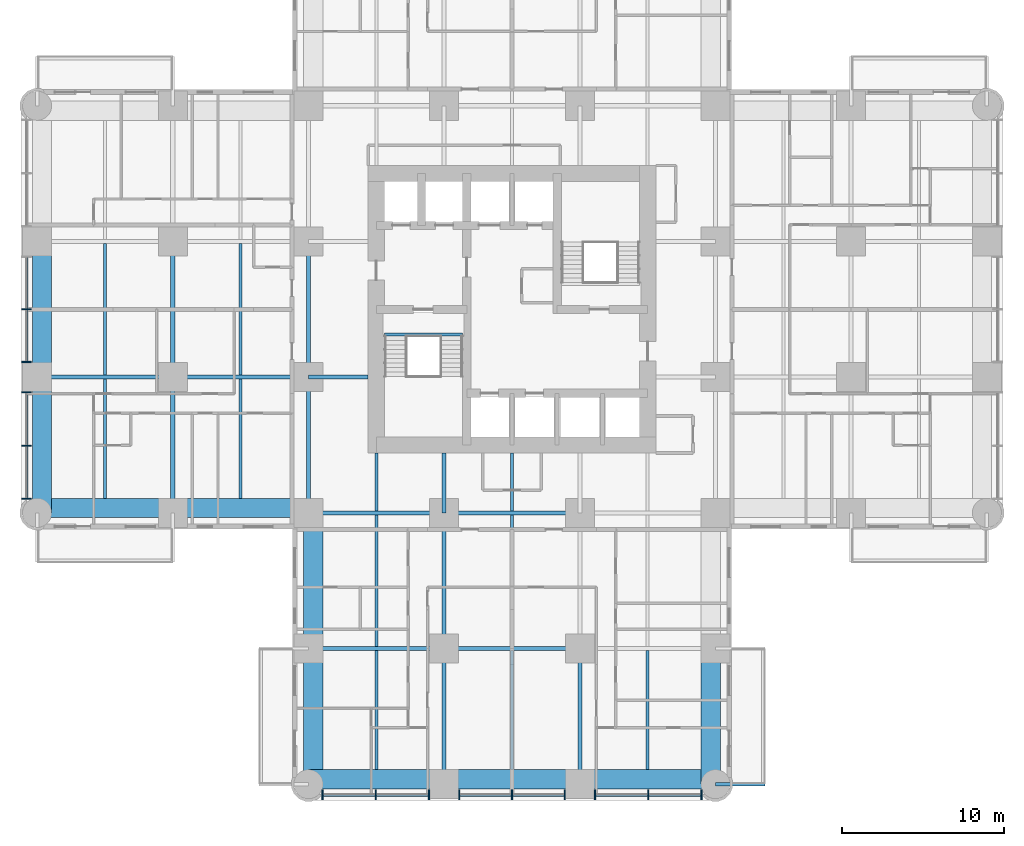
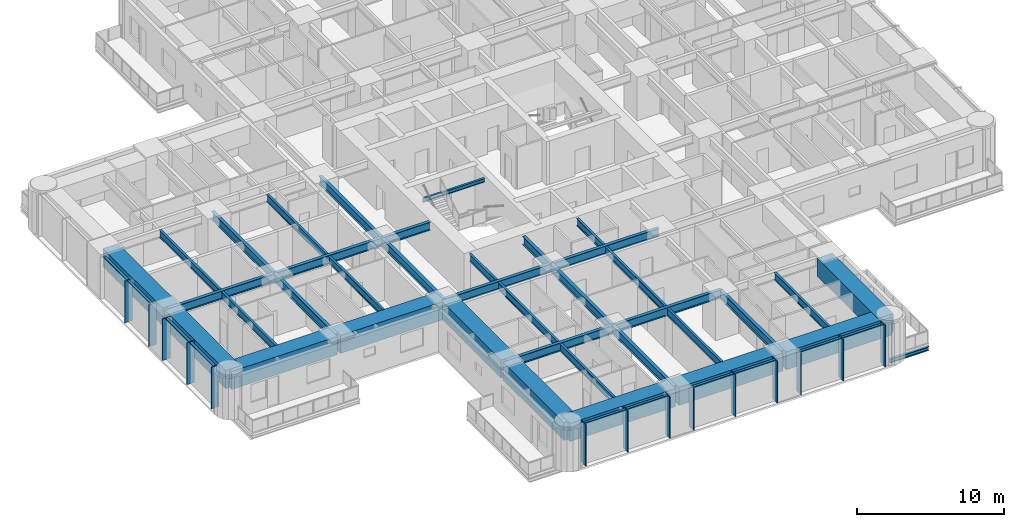
# One storey, part 2 of 17: 38 beams, 24 members, 2 elements without a shape of their own.
"""IFC4 building model written with IfcOpenShell, lengths in metres."""

from ifc_helpers import new_model, si_unit, direction, frame, origin, origin_2d, place, context, subcontext, project, spatial, rectangle, i_section, extrude, material, material_profile, profile_set, type_object, element, aggregate, save


model = new_model("IFC4")

# Units and contexts
model_context = context("Model", 3, precision=1e-05, world=origin(), true_north=direction((0.0, 1.0)))
body_context = subcontext(model_context, "Body", "Model", "MODEL_VIEW")
ifc_project = project(units=[si_unit("LENGTHUNIT", "METRE"), si_unit("AREAUNIT", "SQUARE_METRE"), si_unit("VOLUMEUNIT", "CUBIC_METRE"), si_unit("PLANEANGLEUNIT", "RADIAN"), si_unit("MASSUNIT", "GRAM", prefix="KILO")], contexts=[model_context])

# Site, building, storey
site_placement = place(None, origin())
site = spatial("IfcSite", under=ifc_project, at=site_placement, CompositionType="ELEMENT")
building_placement = place(site_placement, origin())
building = spatial("IfcBuilding", under=site, at=building_placement, Name="Torre Alcanfor", CompositionType="ELEMENT")
storey_placement = place(building_placement, frame((0.0, 0.0, 48.89990234375)))
storey = spatial("IfcBuildingStorey", under=building, at=storey_placement, Name="L11", CompositionType="ELEMENT", Elevation=48.89990234375)

# Beam
ifc_material_1 = material(Name="Steel ASTM A992 Grade 50", Category="steel")
ifc_material_profile_1 = material_profile(ifc_material_1, i_section(OverallWidth=0.205322265625, OverallDepth=0.309814453125, WebThickness=0.00927734375, FlangeThickness=0.016357421875, at=origin_2d()), Name="W12x50")
ifc_profile_set_1 = profile_set([ifc_material_profile_1], Name="Steel ASTM A992 Grade 50")
beam_type_1 = type_object("IfcBeamType", Name="Balcony cantilever beam W12x50", PredefinedType="BEAM", material=ifc_profile_set_1)
beam_1_placement = place(storey_placement, frame((42.0, 0.0, -0.354736328125), z_axis=(1.0, 0.0, 0.0), x_axis=(0.0, 1.0, 0.0)))
element("IfcBeam", 1, at=beam_1_placement, inside=storey, type_object=beam_type_1, Name="Balcony cantilever beam L11-S1 2", PredefinedType="BEAM", context=body_context, shape_type="SweptSolid", body=[
    extrude(i_section(OverallWidth=0.205322265625, OverallDepth=0.309814453125, WebThickness=0.00927734375, FlangeThickness=0.016357421875, at=origin_2d()), origin(), (0.0, 0.0, 1.0), 3.050048828125),
])

# Curtain wall, members
ifc_material_2 = material(Name="Aluminium and glass", Category="aluminium")
curtain_wall_type = type_object("IfcCurtainWallType", Name="CW-A unitised apartment glazing with vertical FIN", PredefinedType="NOTDEFINED", material=ifc_material_2)
curtain_wall_1_placement = place(storey_placement, origin())
curtain_wall_1 = element("IfcCurtainWall", 2, at=curtain_wall_1_placement, inside=storey, type_object=curtain_wall_type, Name="Curtain wall CW-A L11 2", PredefinedType="NOTDEFINED")
ifc_material_3 = material(Name="Bronze anodised aluminium", Category="aluminium")
ifc_material_profile_2 = material_profile(ifc_material_3, rectangle(XDim=0.60009765625, YDim=0.06494140625, at=origin_2d()), Name="CW-A mullion 65x600")
ifc_profile_set_2 = profile_set([ifc_material_profile_2], Name="Bronze anodised aluminium")
member_type_1 = type_object("IfcMemberType", Name="CW-A mullion with vertical FIN 65x600", PredefinedType="MULLION", material=ifc_profile_set_2)
member_1_placement = place(storey_placement, frame((-0.64990234375, 29.39990234375, 0.0), z_axis=(0.0, 0.0, 1.0), x_axis=(1.0, 0.0, 0.0)))
member_1 = element("IfcMember", 3, at=member_1_placement, type_object=member_type_1, Name="CW-A mullion 2.2", PredefinedType="MULLION", context=body_context, shape_type="SweptSolid", body=[
    extrude(rectangle(XDim=0.60009765625, YDim=0.06494140625, at=origin_2d()), origin(), (0.0, 0.0, 1.0), 3.4501953125),
])
member_2_placement = place(storey_placement, frame((-0.64990234375, 26.137451171875, 0.0), z_axis=(0.0, 0.0, 1.0), x_axis=(1.0, 0.0, 0.0)))
member_2 = element("IfcMember", 4, at=member_2_placement, type_object=member_type_1, Name="CW-A mullion 2.3", PredefinedType="MULLION", context=body_context, shape_type="SweptSolid", body=[
    extrude(rectangle(XDim=0.60009765625, YDim=0.06494140625, at=origin_2d()), origin(), (0.0, 0.0, 1.0), 3.4501953125),
])
member_3_placement = place(storey_placement, frame((-0.64990234375, 24.262451171875, 0.0), z_axis=(0.0, 0.0, 1.0), x_axis=(1.0, 0.0, 0.0)))
member_3 = element("IfcMember", 5, at=member_3_placement, type_object=member_type_1, Name="CW-A mullion 3.1", PredefinedType="MULLION", context=body_context, shape_type="SweptSolid", body=[
    extrude(rectangle(XDim=0.60009765625, YDim=0.06494140625, at=origin_2d()), origin(), (0.0, 0.0, 1.0), 3.4501953125),
])
member_4_placement = place(storey_placement, frame((-0.64990234375, 20.96484375, 0.0), z_axis=(0.0, 0.0, 1.0), x_axis=(1.0, 0.0, 0.0)))
member_4 = element("IfcMember", 6, at=member_4_placement, type_object=member_type_1, Name="CW-A mullion 3.2", PredefinedType="MULLION", context=body_context, shape_type="SweptSolid", body=[
    extrude(rectangle(XDim=0.60009765625, YDim=0.06494140625, at=origin_2d()), origin(), (0.0, 0.0, 1.0), 3.4501953125),
])
member_5_placement = place(storey_placement, frame((-0.64990234375, 17.6669921875, 0.0), z_axis=(0.0, 0.0, 1.0), x_axis=(1.0, 0.0, 0.0)))
member_5 = element("IfcMember", 7, at=member_5_placement, type_object=member_type_1, Name="CW-A mullion 3.3", PredefinedType="MULLION", context=body_context, shape_type="SweptSolid", body=[
    extrude(rectangle(XDim=0.60009765625, YDim=0.06494140625, at=origin_2d()), origin(), (0.0, 0.0, 1.0), 3.4501953125),
])

curtain_wall_2_placement = place(storey_placement, origin())
curtain_wall_2 = element("IfcCurtainWall", 8, at=curtain_wall_2_placement, inside=storey, type_object=curtain_wall_type, Name="Curtain wall CW-A L11 5", PredefinedType="NOTDEFINED")
member_6_placement = place(storey_placement, frame((17.6669921875, -0.64990234375, 0.0), z_axis=(0.0, 0.0, 1.0), x_axis=(0.0, 1.0, 0.0)))
member_6 = element("IfcMember", 9, at=member_6_placement, type_object=member_type_1, Name="CW-A mullion 1.1", PredefinedType="MULLION", context=body_context, shape_type="SweptSolid", body=[
    extrude(rectangle(XDim=0.60009765625, YDim=0.06494140625, at=origin_2d()), origin(), (0.0, 0.0, 1.0), 3.4501953125),
])
member_7_placement = place(storey_placement, frame((20.96484375, -0.64990234375, 0.0), z_axis=(0.0, 0.0, 1.0), x_axis=(0.0, 1.0, 0.0)))
member_7 = element("IfcMember", 10, at=member_7_placement, type_object=member_type_1, Name="CW-A mullion 1.2", PredefinedType="MULLION", context=body_context, shape_type="SweptSolid", body=[
    extrude(rectangle(XDim=0.60009765625, YDim=0.06494140625, at=origin_2d()), origin(), (0.0, 0.0, 1.0), 3.4501953125),
])
member_8_placement = place(storey_placement, frame((24.262451171875, -0.64990234375, 0.0), z_axis=(0.0, 0.0, 1.0), x_axis=(0.0, 1.0, 0.0)))
member_8 = element("IfcMember", 11, at=member_8_placement, type_object=member_type_1, Name="CW-A mullion 1.3", PredefinedType="MULLION", context=body_context, shape_type="SweptSolid", body=[
    extrude(rectangle(XDim=0.60009765625, YDim=0.06494140625, at=origin_2d()), origin(), (0.0, 0.0, 1.0), 3.4501953125),
])
member_9_placement = place(storey_placement, frame((26.137451171875, -0.64990234375, 0.0), z_axis=(0.0, 0.0, 1.0), x_axis=(0.0, 1.0, 0.0)))
member_9 = element("IfcMember", 12, at=member_9_placement, type_object=member_type_1, Name="CW-A mullion 2.1", PredefinedType="MULLION", context=body_context, shape_type="SweptSolid", body=[
    extrude(rectangle(XDim=0.60009765625, YDim=0.06494140625, at=origin_2d()), origin(), (0.0, 0.0, 1.0), 3.4501953125),
])
member_10_placement = place(storey_placement, frame((29.39990234375, -0.64990234375, 0.0), z_axis=(0.0, 0.0, 1.0), x_axis=(0.0, 1.0, 0.0)))
member_10 = element("IfcMember", 13, at=member_10_placement, type_object=member_type_1, Name="CW-A mullion 2.2", PredefinedType="MULLION", context=body_context, shape_type="SweptSolid", body=[
    extrude(rectangle(XDim=0.60009765625, YDim=0.06494140625, at=origin_2d()), origin(), (0.0, 0.0, 1.0), 3.4501953125),
])
member_11_placement = place(storey_placement, frame((32.66259765625, -0.64990234375, 0.0), z_axis=(0.0, 0.0, 1.0), x_axis=(0.0, 1.0, 0.0)))
member_11 = element("IfcMember", 14, at=member_11_placement, type_object=member_type_1, Name="CW-A mullion 2.3", PredefinedType="MULLION", context=body_context, shape_type="SweptSolid", body=[
    extrude(rectangle(XDim=0.60009765625, YDim=0.06494140625, at=origin_2d()), origin(), (0.0, 0.0, 1.0), 3.4501953125),
])
member_12_placement = place(storey_placement, frame((34.53759765625, -0.64990234375, 0.0), z_axis=(0.0, 0.0, 1.0), x_axis=(0.0, 1.0, 0.0)))
member_12 = element("IfcMember", 15, at=member_12_placement, type_object=member_type_1, Name="CW-A mullion 3.1", PredefinedType="MULLION", context=body_context, shape_type="SweptSolid", body=[
    extrude(rectangle(XDim=0.60009765625, YDim=0.06494140625, at=origin_2d()), origin(), (0.0, 0.0, 1.0), 3.4501953125),
])
member_13_placement = place(storey_placement, frame((37.835205078125, -0.64990234375, 0.0), z_axis=(0.0, 0.0, 1.0), x_axis=(0.0, 1.0, 0.0)))
member_13 = element("IfcMember", 16, at=member_13_placement, type_object=member_type_1, Name="CW-A mullion 3.2", PredefinedType="MULLION", context=body_context, shape_type="SweptSolid", body=[
    extrude(rectangle(XDim=0.60009765625, YDim=0.06494140625, at=origin_2d()), origin(), (0.0, 0.0, 1.0), 3.4501953125),
])
member_14_placement = place(storey_placement, frame((41.133056640625, -0.64990234375, 0.0), z_axis=(0.0, 0.0, 1.0), x_axis=(0.0, 1.0, 0.0)))
member_14 = element("IfcMember", 17, at=member_14_placement, type_object=member_type_1, Name="CW-A mullion 3.3", PredefinedType="MULLION", context=body_context, shape_type="SweptSolid", body=[
    extrude(rectangle(XDim=0.60009765625, YDim=0.06494140625, at=origin_2d()), origin(), (0.0, 0.0, 1.0), 3.4501953125),
])

# Member
ifc_material_4 = material(Name="Extruded aluminium", Category="aluminium")
ifc_material_profile_3 = material_profile(ifc_material_4, rectangle(XDim=0.199951171875, YDim=0.06494140625, at=origin_2d()), Name="CW-A transom 200x65")
ifc_profile_set_3 = profile_set([ifc_material_profile_3], Name="Extruded aluminium")
member_type_2 = type_object("IfcMemberType", Name="CW-A transom 65x200", PredefinedType="USERDEFINED", material=ifc_profile_set_3)
member_15_placement = place(storey_placement, frame((-0.64990234375, 32.6298828125, 3.41748046875), z_axis=(0.0, -1.0, 0.0), x_axis=(1.0, 0.0, 0.0)))
member_15 = element("IfcMember", 18, at=member_15_placement, type_object=member_type_2, Name="CW-A transom 2.1.2", ObjectType="TRANSOM", PredefinedType="USERDEFINED", context=body_context, shape_type="SweptSolid", body=[
    extrude(rectangle(XDim=0.199951171875, YDim=0.06494140625, at=origin_2d()), origin(), (0.0, 0.0, 1.0), 3.197265625),
])

member_16_placement = place(storey_placement, frame((-0.64990234375, 29.367431640625, 3.41748046875), z_axis=(0.0, -1.0, 0.0), x_axis=(1.0, 0.0, 0.0)))
member_16 = element("IfcMember", 19, at=member_16_placement, type_object=member_type_2, Name="CW-A transom 2.2.2", ObjectType="TRANSOM", PredefinedType="USERDEFINED", context=body_context, shape_type="SweptSolid", body=[
    extrude(rectangle(XDim=0.199951171875, YDim=0.06494140625, at=origin_2d()), origin(), (0.0, 0.0, 1.0), 3.197509765625),
])

member_17_placement = place(storey_placement, frame((-0.64990234375, 24.22998046875, 3.41748046875), z_axis=(0.0, -1.0, 0.0), x_axis=(1.0, 0.0, 0.0)))
member_17 = element("IfcMember", 20, at=member_17_placement, type_object=member_type_2, Name="CW-A transom 3.1.2", ObjectType="TRANSOM", PredefinedType="USERDEFINED", context=body_context, shape_type="SweptSolid", body=[
    extrude(rectangle(XDim=0.199951171875, YDim=0.06494140625, at=origin_2d()), origin(), (0.0, 0.0, 1.0), 3.232666015625),
])

member_18_placement = place(storey_placement, frame((-0.64990234375, 20.93212890625, 3.41748046875), z_axis=(0.0, -1.0, 0.0), x_axis=(1.0, 0.0, 0.0)))
member_18 = element("IfcMember", 21, at=member_18_placement, type_object=member_type_2, Name="CW-A transom 3.2.2", ObjectType="TRANSOM", PredefinedType="USERDEFINED", context=body_context, shape_type="SweptSolid", body=[
    extrude(rectangle(XDim=0.199951171875, YDim=0.06494140625, at=origin_2d()), origin(), (0.0, 0.0, 1.0), 3.232666015625),
])

aggregate(curtain_wall_1, [member_1, member_2, member_15, member_16, member_3, member_4, member_5, member_17, member_18])

member_19_placement = place(storey_placement, frame((17.699462890625, -0.64990234375, 3.41748046875), z_axis=(1.0, 0.0, 0.0), x_axis=(0.0, 1.0, 0.0)))
member_19 = element("IfcMember", 22, at=member_19_placement, type_object=member_type_2, Name="CW-A transom 1.1.2", ObjectType="TRANSOM", PredefinedType="USERDEFINED", context=body_context, shape_type="SweptSolid", body=[
    extrude(rectangle(XDim=0.199951171875, YDim=0.06494140625, at=origin_2d()), origin(), (0.0, 0.0, 1.0), 3.232666015625),
])

member_20_placement = place(storey_placement, frame((20.997314453125, -0.64990234375, 3.41748046875), z_axis=(1.0, 0.0, 0.0), x_axis=(0.0, 1.0, 0.0)))
member_20 = element("IfcMember", 23, at=member_20_placement, type_object=member_type_2, Name="CW-A transom 1.2.2", ObjectType="TRANSOM", PredefinedType="USERDEFINED", context=body_context, shape_type="SweptSolid", body=[
    extrude(rectangle(XDim=0.199951171875, YDim=0.06494140625, at=origin_2d()), origin(), (0.0, 0.0, 1.0), 3.232666015625),
])

member_21_placement = place(storey_placement, frame((26.169921875, -0.64990234375, 3.41748046875), z_axis=(1.0, 0.0, 0.0), x_axis=(0.0, 1.0, 0.0)))
member_21 = element("IfcMember", 24, at=member_21_placement, type_object=member_type_2, Name="CW-A transom 2.1.2", ObjectType="TRANSOM", PredefinedType="USERDEFINED", context=body_context, shape_type="SweptSolid", body=[
    extrude(rectangle(XDim=0.199951171875, YDim=0.06494140625, at=origin_2d()), origin(), (0.0, 0.0, 1.0), 3.197509765625),
])

member_22_placement = place(storey_placement, frame((29.4326171875, -0.64990234375, 3.41748046875), z_axis=(1.0, 0.0, 0.0), x_axis=(0.0, 1.0, 0.0)))
member_22 = element("IfcMember", 25, at=member_22_placement, type_object=member_type_2, Name="CW-A transom 2.2.2", ObjectType="TRANSOM", PredefinedType="USERDEFINED", context=body_context, shape_type="SweptSolid", body=[
    extrude(rectangle(XDim=0.199951171875, YDim=0.06494140625, at=origin_2d()), origin(), (0.0, 0.0, 1.0), 3.197265625),
])

member_23_placement = place(storey_placement, frame((34.570068359375, -0.64990234375, 3.41748046875), z_axis=(1.0, 0.0, 0.0), x_axis=(0.0, 1.0, 0.0)))
member_23 = element("IfcMember", 26, at=member_23_placement, type_object=member_type_2, Name="CW-A transom 3.1.2", ObjectType="TRANSOM", PredefinedType="USERDEFINED", context=body_context, shape_type="SweptSolid", body=[
    extrude(rectangle(XDim=0.199951171875, YDim=0.06494140625, at=origin_2d()), origin(), (0.0, 0.0, 1.0), 3.232666015625),
])

member_24_placement = place(storey_placement, frame((37.86767578125, -0.64990234375, 3.41748046875), z_axis=(1.0, 0.0, 0.0), x_axis=(0.0, 1.0, 0.0)))
member_24 = element("IfcMember", 27, at=member_24_placement, type_object=member_type_2, Name="CW-A transom 3.2.2", ObjectType="TRANSOM", PredefinedType="USERDEFINED", context=body_context, shape_type="SweptSolid", body=[
    extrude(rectangle(XDim=0.199951171875, YDim=0.06494140625, at=origin_2d()), origin(), (0.0, 0.0, 1.0), 3.23291015625),
])

aggregate(curtain_wall_2, [member_6, member_7, member_8, member_19, member_20, member_9, member_10, member_11, member_21, member_22, member_12, member_13, member_14, member_23, member_24])

# Beams
ifc_material_5 = material(Name="Steel ASTM A992 Grade 50", Category="steel")
ifc_material_profile_4 = material_profile(ifc_material_5, i_section(OverallWidth=0.25390625, OverallDepth=0.683349609375, WebThickness=0.012451171875, FlangeThickness=0.01904296875, at=origin_2d()), Name="W27x94")
ifc_profile_set_4 = profile_set([ifc_material_profile_4], Name="Steel ASTM A992 Grade 50")
beam_type_2 = type_object("IfcBeamType", Name="Girder W27x94", PredefinedType="BEAM", material=ifc_profile_set_4)
beam_2_placement = place(storey_placement, frame((16.800048828125, 8.39990234375, 3.1083984375), z_axis=(1.0, 0.0, 0.0), x_axis=(0.0, 1.0, 0.0)))
element("IfcBeam", 28, at=beam_2_placement, inside=storey, type_object=beam_type_2, Name="Beam 3D-4D under L12", PredefinedType="BEAM", context=body_context, shape_type="SweptSolid", body=[
    extrude(i_section(OverallWidth=0.25390625, OverallDepth=0.683349609375, WebThickness=0.012451171875, FlangeThickness=0.01904296875, at=origin_2d()), origin(), (0.0, 0.0, 1.0), 8.39990234375),
])
beam_3_placement = place(storey_placement, frame((25.199951171875, 8.39990234375, 3.1083984375), z_axis=(1.0, 0.0, 0.0), x_axis=(0.0, 1.0, 0.0)))
element("IfcBeam", 29, at=beam_3_placement, inside=storey, type_object=beam_type_2, Name="Beam 4D-5D under L12", PredefinedType="BEAM", context=body_context, shape_type="SweptSolid", body=[
    extrude(i_section(OverallWidth=0.25390625, OverallDepth=0.683349609375, WebThickness=0.012451171875, FlangeThickness=0.01904296875, at=origin_2d()), origin(), (0.0, 0.0, 1.0), 8.400146484375),
])
beam_4_placement = place(storey_placement, frame((16.800048828125, 16.800048828125, 3.1083984375), z_axis=(1.0, 0.0, 0.0), x_axis=(0.0, 1.0, 0.0)))
element("IfcBeam", 30, at=beam_4_placement, inside=storey, type_object=beam_type_2, Name="Beam 3E-4E under L12", PredefinedType="BEAM", context=body_context, shape_type="SweptSolid", body=[
    extrude(i_section(OverallWidth=0.25390625, OverallDepth=0.683349609375, WebThickness=0.012451171875, FlangeThickness=0.01904296875, at=origin_2d()), origin(), (0.0, 0.0, 1.0), 8.39990234375),
])
beam_5_placement = place(storey_placement, frame((25.199951171875, 16.800048828125, 3.1083984375), z_axis=(1.0, 0.0, 0.0), x_axis=(0.0, 1.0, 0.0)))
element("IfcBeam", 31, at=beam_5_placement, inside=storey, type_object=beam_type_2, Name="Beam 4E-5E under L12", PredefinedType="BEAM", context=body_context, shape_type="SweptSolid", body=[
    extrude(i_section(OverallWidth=0.25390625, OverallDepth=0.683349609375, WebThickness=0.012451171875, FlangeThickness=0.01904296875, at=origin_2d()), origin(), (0.0, 0.0, 1.0), 8.400146484375),
])
beam_6_placement = place(storey_placement, frame((0.0, 25.199951171875, 3.1083984375), z_axis=(1.0, 0.0, 0.0), x_axis=(0.0, 1.0, 0.0)))
element("IfcBeam", 32, at=beam_6_placement, inside=storey, type_object=beam_type_2, Name="Beam 1F-2F under L12", PredefinedType="BEAM", context=body_context, shape_type="SweptSolid", body=[
    extrude(i_section(OverallWidth=0.25390625, OverallDepth=0.683349609375, WebThickness=0.012451171875, FlangeThickness=0.01904296875, at=origin_2d()), origin(), (0.0, 0.0, 1.0), 8.39990234375),
])
beam_7_placement = place(storey_placement, frame((8.39990234375, 25.199951171875, 3.1083984375), z_axis=(1.0, 0.0, 0.0), x_axis=(0.0, 1.0, 0.0)))
element("IfcBeam", 33, at=beam_7_placement, inside=storey, type_object=beam_type_2, Name="Beam 2F-3F under L12", PredefinedType="BEAM", context=body_context, shape_type="SweptSolid", body=[
    extrude(i_section(OverallWidth=0.25390625, OverallDepth=0.683349609375, WebThickness=0.012451171875, FlangeThickness=0.01904296875, at=origin_2d()), origin(), (0.0, 0.0, 1.0), 8.400146484375),
])
beam_8_placement = place(storey_placement, frame((8.39990234375, 16.800048828125, 3.1083984375), z_axis=(0.0, 1.0, 0.0), x_axis=(-1.0, 0.0, 0.0)))
element("IfcBeam", 34, at=beam_8_placement, inside=storey, type_object=beam_type_2, Name="Beam 2E-2F under L12", PredefinedType="BEAM", context=body_context, shape_type="SweptSolid", body=[
    extrude(i_section(OverallWidth=0.25390625, OverallDepth=0.683349609375, WebThickness=0.012451171875, FlangeThickness=0.01904296875, at=origin_2d()), origin(), (0.0, 0.0, 1.0), 8.39990234375),
])
beam_9_placement = place(storey_placement, frame((8.39990234375, 25.199951171875, 3.1083984375), z_axis=(0.0, 1.0, 0.0), x_axis=(-1.0, 0.0, 0.0)))
element("IfcBeam", 35, at=beam_9_placement, inside=storey, type_object=beam_type_2, Name="Beam 2F-2G under L12", PredefinedType="BEAM", context=body_context, shape_type="SweptSolid", body=[
    extrude(i_section(OverallWidth=0.25390625, OverallDepth=0.683349609375, WebThickness=0.012451171875, FlangeThickness=0.01904296875, at=origin_2d()), origin(), (0.0, 0.0, 1.0), 8.400146484375),
])
beam_10_placement = place(storey_placement, frame((16.800048828125, 16.800048828125, 3.1083984375), z_axis=(0.0, 1.0, 0.0), x_axis=(-1.0, 0.0, 0.0)))
element("IfcBeam", 36, at=beam_10_placement, inside=storey, type_object=beam_type_2, Name="Beam 3E-3F under L12", PredefinedType="BEAM", context=body_context, shape_type="SweptSolid", body=[
    extrude(i_section(OverallWidth=0.25390625, OverallDepth=0.683349609375, WebThickness=0.012451171875, FlangeThickness=0.01904296875, at=origin_2d()), origin(), (0.0, 0.0, 1.0), 8.39990234375),
])
beam_11_placement = place(storey_placement, frame((16.800048828125, 25.199951171875, 3.1083984375), z_axis=(0.0, 1.0, 0.0), x_axis=(-1.0, 0.0, 0.0)))
element("IfcBeam", 37, at=beam_11_placement, inside=storey, type_object=beam_type_2, Name="Beam 3F-3G under L12", PredefinedType="BEAM", context=body_context, shape_type="SweptSolid", body=[
    extrude(i_section(OverallWidth=0.25390625, OverallDepth=0.683349609375, WebThickness=0.012451171875, FlangeThickness=0.01904296875, at=origin_2d()), origin(), (0.0, 0.0, 1.0), 8.400146484375),
])
beam_12_placement = place(storey_placement, frame((25.199951171875, 0.0, 3.1083984375), z_axis=(0.0, 1.0, 0.0), x_axis=(-1.0, 0.0, 0.0)))
element("IfcBeam", 38, at=beam_12_placement, inside=storey, type_object=beam_type_2, Name="Beam 4C-4D under L12", PredefinedType="BEAM", context=body_context, shape_type="SweptSolid", body=[
    extrude(i_section(OverallWidth=0.25390625, OverallDepth=0.683349609375, WebThickness=0.012451171875, FlangeThickness=0.01904296875, at=origin_2d()), origin(), (0.0, 0.0, 1.0), 8.39990234375),
])
beam_13_placement = place(storey_placement, frame((25.199951171875, 8.39990234375, 3.1083984375), z_axis=(0.0, 1.0, 0.0), x_axis=(-1.0, 0.0, 0.0)))
element("IfcBeam", 39, at=beam_13_placement, inside=storey, type_object=beam_type_2, Name="Beam 4D-4E under L12", PredefinedType="BEAM", context=body_context, shape_type="SweptSolid", body=[
    extrude(i_section(OverallWidth=0.25390625, OverallDepth=0.683349609375, WebThickness=0.012451171875, FlangeThickness=0.01904296875, at=origin_2d()), origin(), (0.0, 0.0, 1.0), 8.400146484375),
])
beam_14_placement = place(storey_placement, frame((33.60009765625, 0.0, 3.1083984375), z_axis=(0.0, 1.0, 0.0), x_axis=(-1.0, 0.0, 0.0)))
element("IfcBeam", 40, at=beam_14_placement, inside=storey, type_object=beam_type_2, Name="Beam 5C-5D under L12", PredefinedType="BEAM", context=body_context, shape_type="SweptSolid", body=[
    extrude(i_section(OverallWidth=0.25390625, OverallDepth=0.683349609375, WebThickness=0.012451171875, FlangeThickness=0.01904296875, at=origin_2d()), origin(), (0.0, 0.0, 1.0), 8.39990234375),
])
ifc_material_6 = material(Name="Steel ASTM A992 Grade 50", Category="steel")
ifc_material_profile_5 = material_profile(ifc_material_6, i_section(OverallWidth=0.25390625, OverallDepth=0.683349609375, WebThickness=0.012451171875, FlangeThickness=0.01904296875, at=origin_2d()), Name="W27x94")
ifc_profile_set_5 = profile_set([ifc_material_profile_5], Name="Steel ASTM A992 Grade 50")
beam_type_3 = type_object("IfcBeamType", Name="Girder, part bay W27x94", PredefinedType="BEAM", material=ifc_profile_set_5)
for number, where, z_axis, x_axis, name in (
    (41, (25.199951171875, 16.800048828125, 3.1083984375), (0.0, 1.0, 0.0), (-1.0, 0.0, 0.0), "Beam 4E-420_5 under L12"),
    (42, (16.800048828125, 25.199951171875, 3.1083984375), (1.0, 0.0, 0.0), (0.0, 1.0, 0.0), "Beam 3F-20_5F under L12"),
):
    element("IfcBeam", number, at=place(storey_placement, frame(where, z_axis=z_axis, x_axis=x_axis)), inside=storey, type_object=beam_type_3, Name=name, PredefinedType="BEAM", context=body_context, shape_type="SweptSolid", body=[
        extrude(i_section(OverallWidth=0.25390625, OverallDepth=0.683349609375, WebThickness=0.012451171875, FlangeThickness=0.01904296875, at=origin_2d()), origin(), (0.0, 0.0, 1.0), 3.699951171875),
    ])
ifc_material_7 = material(Name="Concrete f'c 70 MPa", Category="concrete")
ifc_material_profile_6 = material_profile(ifc_material_7, rectangle(XDim=1.199951171875, YDim=1.5, at=origin_2d()), Name="1200x1500")
ifc_profile_set_6 = profile_set([ifc_material_profile_6], Name="Concrete f'c 70 MPa")
beam_type_4 = type_object("IfcBeamType", Name="RC perimeter beam 1200x1500", PredefinedType="BEAM", material=ifc_profile_set_6)
beam_15_placement = place(storey_placement, frame((16.800048828125, 0.300048828125, 2.7001953125), z_axis=(1.0, 0.0, 0.0), x_axis=(0.0, 1.0, 0.0)))
element("IfcBeam", 43, at=beam_15_placement, inside=storey, type_object=beam_type_4, Name="Beam 3C-4C under L12", PredefinedType="BEAM", context=body_context, shape_type="SweptSolid", body=[
    extrude(rectangle(XDim=1.199951171875, YDim=1.5, at=origin_2d()), origin(), (0.0, 0.0, 1.0), 8.27294921875),
])
beam_16_placement = place(storey_placement, frame((25.326904296875, 0.300048828125, 2.7001953125), z_axis=(1.0, 0.0, 0.0), x_axis=(0.0, 1.0, 0.0)))
element("IfcBeam", 44, at=beam_16_placement, inside=storey, type_object=beam_type_4, Name="Beam 4C-5C under L12", PredefinedType="BEAM", context=body_context, shape_type="SweptSolid", body=[
    extrude(rectangle(XDim=1.199951171875, YDim=1.5, at=origin_2d()), origin(), (0.0, 0.0, 1.0), 8.14599609375),
])
for number, where, z_axis, x_axis, name in (
    (45, (33.72705078125, 0.300048828125, 2.7001953125), (1.0, 0.0, 0.0), (0.0, 1.0, 0.0), "Beam 5C-6C under L12"),
    (46, (0.0, 17.10009765625, 2.7001953125), (1.0, 0.0, 0.0), (0.0, 1.0, 0.0), "Beam 1E-2E under L12"),
):
    element("IfcBeam", number, at=place(storey_placement, frame(where, z_axis=z_axis, x_axis=x_axis)), inside=storey, type_object=beam_type_4, Name=name, PredefinedType="BEAM", context=body_context, shape_type="SweptSolid", body=[
        extrude(rectangle(XDim=1.199951171875, YDim=1.5, at=origin_2d()), origin(), (0.0, 0.0, 1.0), 8.27294921875),
    ])
beam_17_placement = place(storey_placement, frame((8.527099609375, 17.10009765625, 2.7001953125), z_axis=(1.0, 0.0, 0.0), x_axis=(0.0, 1.0, 0.0)))
element("IfcBeam", 47, at=beam_17_placement, inside=storey, type_object=beam_type_4, Name="Beam 2E-3E under L12", PredefinedType="BEAM", context=body_context, shape_type="SweptSolid", body=[
    extrude(rectangle(XDim=1.199951171875, YDim=1.5, at=origin_2d()), origin(), (0.0, 0.0, 1.0), 8.14599609375),
])
beam_18_placement = place(storey_placement, frame((0.300048828125, 16.800048828125, 2.7001953125), z_axis=(0.0, 1.0, 0.0), x_axis=(-1.0, 0.0, 0.0)))
element("IfcBeam", 48, at=beam_18_placement, inside=storey, type_object=beam_type_4, Name="Beam 1E-1F under L12", PredefinedType="BEAM", context=body_context, shape_type="SweptSolid", body=[
    extrude(rectangle(XDim=1.199951171875, YDim=1.5, at=origin_2d()), origin(), (0.0, 0.0, 1.0), 8.27294921875),
])
beam_19_placement = place(storey_placement, frame((0.300048828125, 25.326904296875, 2.7001953125), z_axis=(0.0, 1.0, 0.0), x_axis=(-1.0, 0.0, 0.0)))
element("IfcBeam", 49, at=beam_19_placement, inside=storey, type_object=beam_type_4, Name="Beam 1F-1G under L12", PredefinedType="BEAM", context=body_context, shape_type="SweptSolid", body=[
    extrude(rectangle(XDim=1.199951171875, YDim=1.5, at=origin_2d()), origin(), (0.0, 0.0, 1.0), 8.14599609375),
])
beam_20_placement = place(storey_placement, frame((17.10009765625, 0.0, 2.7001953125), z_axis=(0.0, 1.0, 0.0), x_axis=(-1.0, 0.0, 0.0)))
element("IfcBeam", 50, at=beam_20_placement, inside=storey, type_object=beam_type_4, Name="Beam 3C-3D under L12", PredefinedType="BEAM", context=body_context, shape_type="SweptSolid", body=[
    extrude(rectangle(XDim=1.199951171875, YDim=1.5, at=origin_2d()), origin(), (0.0, 0.0, 1.0), 8.27294921875),
])
beam_21_placement = place(storey_placement, frame((17.10009765625, 8.527099609375, 2.7001953125), z_axis=(0.0, 1.0, 0.0), x_axis=(-1.0, 0.0, 0.0)))
element("IfcBeam", 51, at=beam_21_placement, inside=storey, type_object=beam_type_4, Name="Beam 3D-3E under L12", PredefinedType="BEAM", context=body_context, shape_type="SweptSolid", body=[
    extrude(rectangle(XDim=1.199951171875, YDim=1.5, at=origin_2d()), origin(), (0.0, 0.0, 1.0), 8.14599609375),
])
beam_22_placement = place(storey_placement, frame((41.699951171875, 0.0, 2.7001953125), z_axis=(0.0, 1.0, 0.0), x_axis=(-1.0, 0.0, 0.0)))
element("IfcBeam", 52, at=beam_22_placement, inside=storey, type_object=beam_type_4, Name="Beam 6C-6D under L12", PredefinedType="BEAM", context=body_context, shape_type="SweptSolid", body=[
    extrude(rectangle(XDim=1.199951171875, YDim=1.5, at=origin_2d()), origin(), (0.0, 0.0, 1.0), 8.27294921875),
])
ifc_material_8 = material(Name="Steel ASTM A992 Grade 50", Category="steel")
ifc_material_profile_7 = material_profile(ifc_material_8, i_section(OverallWidth=0.1787109375, OverallDepth=0.60205078125, WebThickness=0.010986328125, FlangeThickness=0.014892578125, at=origin_2d()), Name="W24x62")
ifc_profile_set_7 = profile_set([ifc_material_profile_7], Name="Steel ASTM A992 Grade 50")
beam_type_5 = type_object("IfcBeamType", Name="Secondary beam W24x62", PredefinedType="BEAM", material=ifc_profile_set_7)
beam_23_placement = place(storey_placement, frame((4.199951171875, 17.699951171875, 3.149169921875), z_axis=(0.0, 1.0, 0.0), x_axis=(-1.0, 0.0, 0.0)))
element("IfcBeam", 53, at=beam_23_placement, inside=storey, type_object=beam_type_5, Name="Beam 4_2E-4_2F under L12", PredefinedType="BEAM", context=body_context, shape_type="SweptSolid", body=[
    extrude(i_section(OverallWidth=0.1787109375, OverallDepth=0.60205078125, WebThickness=0.010986328125, FlangeThickness=0.014892578125, at=origin_2d()), origin(), (0.0, 0.0, 1.0), 7.373046875),
])
beam_24_placement = place(storey_placement, frame((4.199951171875, 25.326904296875, 3.149169921875), z_axis=(0.0, 1.0, 0.0), x_axis=(-1.0, 0.0, 0.0)))
element("IfcBeam", 54, at=beam_24_placement, inside=storey, type_object=beam_type_5, Name="Beam 4_2F-4_2G under L12", PredefinedType="BEAM", context=body_context, shape_type="SweptSolid", body=[
    extrude(i_section(OverallWidth=0.1787109375, OverallDepth=0.60205078125, WebThickness=0.010986328125, FlangeThickness=0.014892578125, at=origin_2d()), origin(), (0.0, 0.0, 1.0), 8.14599609375),
])
beam_25_placement = place(storey_placement, frame((12.60009765625, 17.699951171875, 3.149169921875), z_axis=(0.0, 1.0, 0.0), x_axis=(-1.0, 0.0, 0.0)))
element("IfcBeam", 55, at=beam_25_placement, inside=storey, type_object=beam_type_5, Name="Beam 12_6E-12_6F under L12", PredefinedType="BEAM", context=body_context, shape_type="SweptSolid", body=[
    extrude(i_section(OverallWidth=0.1787109375, OverallDepth=0.60205078125, WebThickness=0.010986328125, FlangeThickness=0.014892578125, at=origin_2d()), origin(), (0.0, 0.0, 1.0), 7.373046875),
])
beam_26_placement = place(storey_placement, frame((12.60009765625, 25.326904296875, 3.149169921875), z_axis=(0.0, 1.0, 0.0), x_axis=(-1.0, 0.0, 0.0)))
element("IfcBeam", 56, at=beam_26_placement, inside=storey, type_object=beam_type_5, Name="Beam 12_6F-12_6G under L12", PredefinedType="BEAM", context=body_context, shape_type="SweptSolid", body=[
    extrude(i_section(OverallWidth=0.1787109375, OverallDepth=0.60205078125, WebThickness=0.010986328125, FlangeThickness=0.014892578125, at=origin_2d()), origin(), (0.0, 0.0, 1.0), 8.14599609375),
])
beam_27_placement = place(storey_placement, frame((21.0, 0.89990234375, 3.149169921875), z_axis=(0.0, 1.0, 0.0), x_axis=(-1.0, 0.0, 0.0)))
element("IfcBeam", 57, at=beam_27_placement, inside=storey, type_object=beam_type_5, Name="Beam 21C-21D under L12", PredefinedType="BEAM", context=body_context, shape_type="SweptSolid", body=[
    extrude(i_section(OverallWidth=0.1787109375, OverallDepth=0.60205078125, WebThickness=0.010986328125, FlangeThickness=0.014892578125, at=origin_2d()), origin(), (0.0, 0.0, 1.0), 7.373046875),
])
beam_28_placement = place(storey_placement, frame((21.0, 8.527099609375, 3.149169921875), z_axis=(0.0, 1.0, 0.0), x_axis=(-1.0, 0.0, 0.0)))
element("IfcBeam", 58, at=beam_28_placement, inside=storey, type_object=beam_type_5, Name="Beam 21D-21E under L12", PredefinedType="BEAM", context=body_context, shape_type="SweptSolid", body=[
    extrude(i_section(OverallWidth=0.1787109375, OverallDepth=0.60205078125, WebThickness=0.010986328125, FlangeThickness=0.014892578125, at=origin_2d()), origin(), (0.0, 0.0, 1.0), 8.14599609375),
])
beam_29_placement = place(storey_placement, frame((29.39990234375, 0.89990234375, 3.149169921875), z_axis=(0.0, 1.0, 0.0), x_axis=(-1.0, 0.0, 0.0)))
element("IfcBeam", 59, at=beam_29_placement, inside=storey, type_object=beam_type_5, Name="Beam 29_4C-29_4D under L12", PredefinedType="BEAM", context=body_context, shape_type="SweptSolid", body=[
    extrude(i_section(OverallWidth=0.1787109375, OverallDepth=0.60205078125, WebThickness=0.010986328125, FlangeThickness=0.014892578125, at=origin_2d()), origin(), (0.0, 0.0, 1.0), 7.373046875),
])
beam_30_placement = place(storey_placement, frame((29.39990234375, 8.527099609375, 3.149169921875), z_axis=(0.0, 1.0, 0.0), x_axis=(-1.0, 0.0, 0.0)))
element("IfcBeam", 60, at=beam_30_placement, inside=storey, type_object=beam_type_5, Name="Beam 29_4D-29_4E under L12", PredefinedType="BEAM", context=body_context, shape_type="SweptSolid", body=[
    extrude(i_section(OverallWidth=0.1787109375, OverallDepth=0.60205078125, WebThickness=0.010986328125, FlangeThickness=0.014892578125, at=origin_2d()), origin(), (0.0, 0.0, 1.0), 8.14599609375),
])
beam_31_placement = place(storey_placement, frame((37.800048828125, 0.89990234375, 3.149169921875), z_axis=(0.0, 1.0, 0.0), x_axis=(-1.0, 0.0, 0.0)))
element("IfcBeam", 61, at=beam_31_placement, inside=storey, type_object=beam_type_5, Name="Beam 37_8C-37_8D under L12", PredefinedType="BEAM", context=body_context, shape_type="SweptSolid", body=[
    extrude(i_section(OverallWidth=0.1787109375, OverallDepth=0.60205078125, WebThickness=0.010986328125, FlangeThickness=0.014892578125, at=origin_2d()), origin(), (0.0, 0.0, 1.0), 7.373046875),
])
ifc_material_9 = material(Name="Steel ASTM A992 Grade 50", Category="steel")
ifc_material_profile_8 = material_profile(ifc_material_9, i_section(OverallWidth=0.1787109375, OverallDepth=0.60205078125, WebThickness=0.010986328125, FlangeThickness=0.014892578125, at=origin_2d()), Name="W24x62")
ifc_profile_set_8 = profile_set([ifc_material_profile_8], Name="Steel ASTM A992 Grade 50")
beam_type_6 = type_object("IfcBeamType", Name="Secondary beam, part bay W24x62", PredefinedType="BEAM", material=ifc_profile_set_8)
for number, where, z_axis, x_axis, name in (
    (62, (21.0, 16.927001953125, 3.149169921875), (0.0, 1.0, 0.0), (-1.0, 0.0, 0.0), "Beam 21E-2120_5 under L12"),
    (63, (29.39990234375, 16.927001953125, 3.149169921875), (0.0, 1.0, 0.0), (-1.0, 0.0, 0.0), "Beam 29_4E-29_420_5 under L12"),
):
    element("IfcBeam", number, at=place(storey_placement, frame(where, z_axis=z_axis, x_axis=x_axis)), inside=storey, type_object=beam_type_6, Name=name, PredefinedType="BEAM", context=body_context, shape_type="SweptSolid", body=[
        extrude(i_section(OverallWidth=0.1787109375, OverallDepth=0.60205078125, WebThickness=0.010986328125, FlangeThickness=0.014892578125, at=origin_2d()), origin(), (0.0, 0.0, 1.0), 3.572998046875),
    ])
ifc_material_10 = material(Name="Steel ASTM A992 Grade 50", Category="steel")
ifc_material_profile_9 = material_profile(ifc_material_10, i_section(OverallWidth=0.164794921875, OverallDepth=0.309814453125, WebThickness=0.005859375, FlangeThickness=0.009765625, at=origin_2d()), Name="W12x26")
ifc_profile_set_9 = profile_set([ifc_material_profile_9], Name="Steel ASTM A992 Grade 50")
beam_type_7 = type_object("IfcBeamType", Name="Stair landing beam W12x26", PredefinedType="BEAM", material=ifc_profile_set_9)
beam_32_placement = place(storey_placement, frame((21.5, 27.83740234375, 3.2451171875), z_axis=(1.0, 0.0, 0.0), x_axis=(0.0, 1.0, 0.0)))
element("IfcBeam", 64, at=beam_32_placement, inside=storey, type_object=beam_type_7, Name="Landing trimmer S1 L12", PredefinedType="BEAM", context=body_context, shape_type="SweptSolid", body=[
    extrude(i_section(OverallWidth=0.164794921875, OverallDepth=0.309814453125, WebThickness=0.005859375, FlangeThickness=0.009765625, at=origin_2d()), origin(), (0.0, 0.0, 1.0), 4.85009765625),
])

save(model, "model.ifc")
